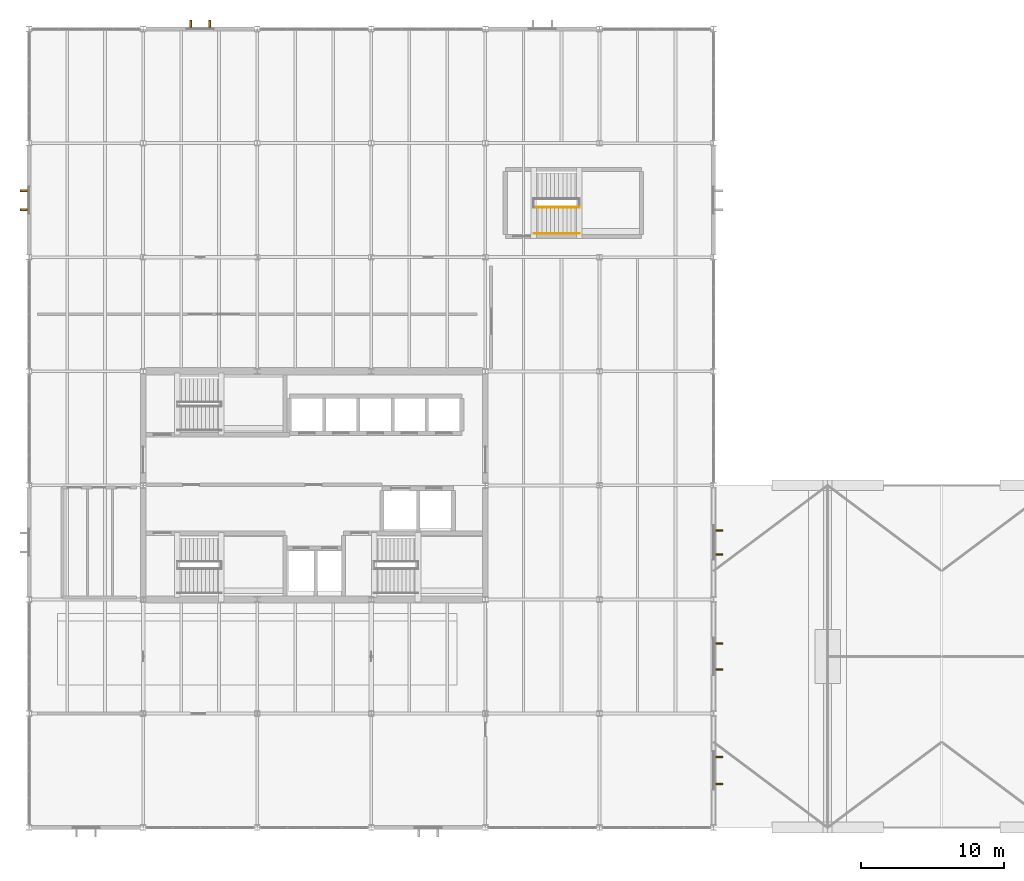
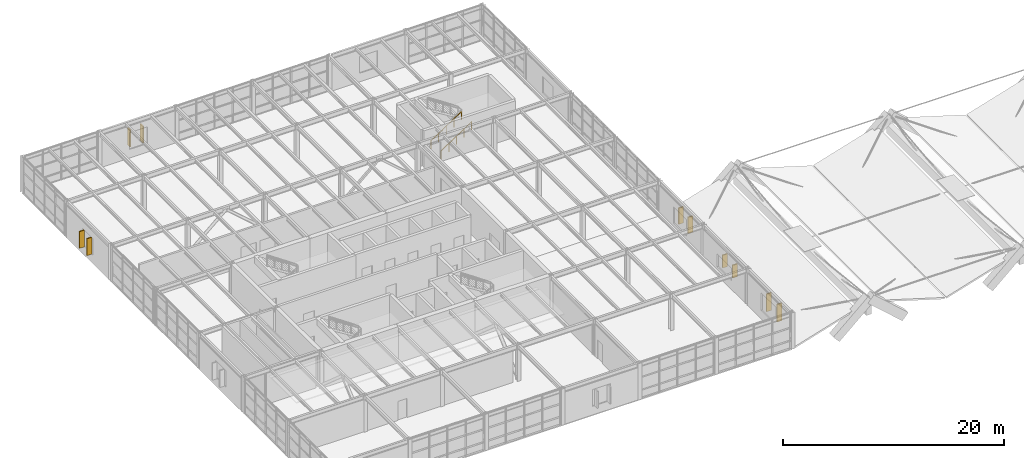
# One storey, part 48 of 50: 10 shading devices, 2 railings.
"""IFC4 building model written with IfcOpenShell, lengths in metres."""

import ifcopenshell
import ifcopenshell.guid

model = None  # the IFC model being written
_history = None  # IfcOwnerHistory: only IFC2X3 demands one
_inside = {}  # id of a spatial element -> (the spatial element, [elements in it])
_under = {}  # id of a project, library or spatial element -> (it, [spatial elements below it])
_declared = {}  # id of a project -> (the project, [libraries it declares])
_typed = {}  # id of a type object -> (the type object, [elements of that type])
_made_of = {}  # id of a material, layer set ... -> (it, [elements and type objects made of it])


def new_model(schema):
    """Start an empty IFC model of exactly this schema.

    Asked for "IFC4X3", IfcOpenShell would pick the latest addendum, in which some entities
    have other attributes; the version numbers below select the first issue.
    IFC2X3 requires an IfcOwnerHistory on every rooted entity: one is made here for all.
    """
    global model, _history
    if schema == "IFC4X3":
        model = ifcopenshell.file(schema_version=(4, 3, 0, 0))
    else:
        model = ifcopenshell.file(schema=schema)
    _inside.clear()
    _under.clear()
    _declared.clear()
    _typed.clear()
    _made_of.clear()
    _history = None
    if model.schema == "IFC2X3":
        org = make("IfcOrganization", Name="unknown")
        user = make(
            "IfcPersonAndOrganization",
            ThePerson=make("IfcPerson", FamilyName="unknown"),
            TheOrganization=org,
        )
        app = make(
            "IfcApplication",
            ApplicationDeveloper=org,
            Version="unknown",
            ApplicationFullName="unknown",
            ApplicationIdentifier="unknown",
        )
        _history = make(
            "IfcOwnerHistory",
            OwningUser=user,
            OwningApplication=app,
            ChangeAction="ADDED",
            CreationDate=0,
        )
    return model


def make(cls, **values):
    """One entity of the class cls with the attributes given. An attribute that is None is left unset."""
    return model.create_entity(
        cls, **{name: value for name, value in values.items() if value is not None}
    )


def rooted(cls, **values):
    """An entity with a GlobalId (a new one), such as an element, a storey or a relation."""
    return make(cls, GlobalId=ifcopenshell.guid.new(), OwnerHistory=_history, **values)


def si_unit(unit_type, name, prefix=None):
    """IfcSIUnit, for example si_unit("LENGTHUNIT", "METRE", prefix="MILLI")."""
    return make("IfcSIUnit", UnitType=unit_type, Prefix=prefix, Name=name)


def assignment(units):
    """IfcUnitAssignment: the units of a project."""
    return None if units is None else make("IfcUnitAssignment", Units=units)


def point(xyz):
    """IfcCartesianPoint."""
    return None if xyz is None else make("IfcCartesianPoint", Coordinates=xyz)


def direction(xyz):
    """IfcDirection."""
    return None if xyz is None else make("IfcDirection", DirectionRatios=xyz)


def frame(location, z_axis=None, x_axis=None):
    """IfcAxis2Placement3D, a coordinate frame: its origin and axes. An axis left out is left unset."""
    return make(
        "IfcAxis2Placement3D",
        Location=point(location),
        Axis=direction(z_axis),
        RefDirection=direction(x_axis),
    )


def frame_2d(location, x_axis=None):
    """IfcAxis2Placement2D, a coordinate frame in the plane: its origin and x axis."""
    return make(
        "IfcAxis2Placement2D", Location=point(location), RefDirection=direction(x_axis)
    )


def origin():
    """The frame at (0, 0, 0) with its axes left unset."""
    return frame((0.0, 0.0, 0.0))


def origin_2d():
    """The frame at (0, 0) in the plane with its x axis left unset."""
    return frame_2d((0.0, 0.0))


def place(relative_to, where):
    """IfcLocalPlacement: puts the frame where relative to a parent placement (None: the world)."""
    return make(
        "IfcLocalPlacement", PlacementRelTo=relative_to, RelativePlacement=where
    )


def context(
    kind, dimensions, precision=None, world=None, true_north=None, identifier=None
):
    """IfcGeometricRepresentationContext, for example the 3D "Model" context."""
    return make(
        "IfcGeometricRepresentationContext",
        ContextIdentifier=identifier,
        ContextType=kind,
        CoordinateSpaceDimension=dimensions,
        Precision=precision,
        WorldCoordinateSystem=world,
        TrueNorth=true_north,
    )


def subcontext(parent, identifier, kind, view, scale=None):
    """IfcGeometricRepresentationSubContext, for example "Body" below "Model"."""
    return make(
        "IfcGeometricRepresentationSubContext",
        ContextIdentifier=identifier,
        ContextType=kind,
        ParentContext=parent,
        TargetScale=scale,
        TargetView=view,
    )


def project(units=None, contexts=None):
    """IfcProject with its units and contexts."""
    return rooted(
        "IfcProject",
        Name="project",
        RepresentationContexts=contexts,
        UnitsInContext=assignment(units),
    )


def spatial(cls, under=None, at=None, **own):
    """A site, building, storey or space (cls), placed at a placement, below another one or the project."""
    s = rooted(cls, ObjectPlacement=at, **own)
    if under is not None:
        _under.setdefault(under.id(), (under, []))[1].append(s)
    return s


def profile(cls, at=None, kind="AREA", **sizes):
    """A parametric profile (cls). Its sizes go by their IFC names, for example OverallWidth=200.0."""
    return make(cls, ProfileType=kind, Position=at, **sizes)


def rectangle(**sizes):
    """IfcRectangleProfileDef."""
    return profile("IfcRectangleProfileDef", **sizes)


def circle(**sizes):
    """IfcCircleProfileDef."""
    return profile("IfcCircleProfileDef", **sizes)


def extrude(swept, where, along, depth):
    """IfcExtrudedAreaSolid: the profile swept, set in the frame where, extruded along a direction by depth."""
    return make(
        "IfcExtrudedAreaSolid",
        SweptArea=swept,
        Position=where,
        ExtrudedDirection=direction(along),
        Depth=depth,
    )


def shape(context_of_items, identifier, shape_type, items):
    """IfcShapeRepresentation: the items that make up one representation, for example the "Body"."""
    return make(
        "IfcShapeRepresentation",
        ContextOfItems=context_of_items,
        RepresentationIdentifier=identifier,
        RepresentationType=shape_type,
        Items=items,
    )


def material(Name=None, Category=None):
    """IfcMaterial."""
    return make("IfcMaterial", Name=Name, Category=Category)


def made_of(thing, what):
    """Note that an element or type object is made of a material, layer set ...; save() writes the relation."""
    if what is not None:
        _made_of.setdefault(what.id(), (what, []))[1].append(thing)
    return thing


def type_object(cls, material=None, **own):
    """A type object (cls), such as IfcWallType, which elements share."""
    return made_of(rooted(cls, **own), material)


def element(
    cls,
    number,
    at=None,
    inside=None,
    cuts=None,
    type_object=None,
    material=None,
    context=None,
    identifier="Body",
    shape_type=None,
    held_by="IfcProductDefinitionShape",
    body=None,
    shapes=None,
    **own,
):
    """One element of the class cls, such as IfcWall. Its Tag is "e" and its number.

    at: its placement. inside: the storey or other place that contains it. cuts: it is an
    opening in that element (IfcRelVoidsElement). A single representation is given by context,
    identifier, shape_type and body (its items); several are given by shapes. held_by: the class
    of the entity that holds the representations. save() writes the other relations.
    """
    e = rooted(cls, Tag="e%d" % number, ObjectPlacement=at, **own)
    if body is not None:
        shapes = [shape(context, identifier, shape_type, body)]
    if shapes is not None:
        e.Representation = make(held_by, Representations=shapes)
    if inside is not None:
        _inside.setdefault(inside.id(), (inside, []))[1].append(e)
    if cuts is not None:
        rooted(
            "IfcRelVoidsElement", RelatingBuildingElement=cuts, RelatedOpeningElement=e
        )
    if type_object is not None:
        _typed.setdefault(type_object.id(), (type_object, []))[1].append(e)
    return made_of(e, material)


def aggregate(whole, parts):
    """IfcRelAggregates: a whole, such as a stair, and the parts it consists of."""
    return rooted("IfcRelAggregates", RelatingObject=whole, RelatedObjects=parts)


def save(model, path):
    """Write the relations noted so far, then the file.

    IfcRelAggregates (storeys below a building ...), IfcRelContainedInSpatialStructure (elements
    in a storey), IfcRelDefinesByType, IfcRelAssociatesMaterial and IfcRelDeclares: one each for
    every whole, place, type object, material and project.
    """
    for whole, parts in _under.values():
        aggregate(whole, parts)
    for where, things in _inside.values():
        rooted(
            "IfcRelContainedInSpatialStructure",
            RelatedElements=things,
            RelatingStructure=where,
        )
    for kind, things in _typed.values():
        rooted("IfcRelDefinesByType", RelatedObjects=things, RelatingType=kind)
    for what, things in _made_of.values():
        rooted("IfcRelAssociatesMaterial", RelatedObjects=things, RelatingMaterial=what)
    for by, libraries in _declared.values():
        rooted("IfcRelDeclares", RelatingContext=by, RelatedDefinitions=libraries)
    model.write(path)


model = new_model("IFC4")

# Units and contexts
model_context = context("Model", 3, precision=1e-05, world=origin(), true_north=direction((0.0, 1.0)))
body_context = subcontext(model_context, "Body", "Model", "MODEL_VIEW")
ifc_project = project(units=[si_unit("LENGTHUNIT", "METRE"), si_unit("AREAUNIT", "SQUARE_METRE"), si_unit("VOLUMEUNIT", "CUBIC_METRE"), si_unit("PLANEANGLEUNIT", "RADIAN"), si_unit("MASSUNIT", "GRAM", prefix="KILO")], contexts=[model_context])

# Site, building, storey
site_placement = place(None, origin())
site = spatial("IfcSite", under=ifc_project, at=site_placement, CompositionType="ELEMENT")
building_placement = place(site_placement, origin())
building = spatial("IfcBuilding", under=site, at=building_placement, Name="Varnela Railside Interchange", CompositionType="ELEMENT")
storey_placement = place(building_placement, frame((0.0, 0.0, 15.39990234375)))
storey = spatial("IfcBuildingStorey", under=building, at=storey_placement, Name="L03", CompositionType="ELEMENT", Elevation=15.39990234375)

# Shading devices
ifc_material_1 = material(Name="Concrete C40 precast", Category="concrete")
shading_device_type = type_object("IfcShadingDeviceType", Name="Paulista Vertical Brise-Soleil BS-01", PredefinedType="USERDEFINED", material=ifc_material_1)
for number, where, z_axis, x_axis, name in (
    (1, (3.614990234375, 81.3349609375, 0.949951171875), (0.0, 0.0, 1.0), (-1.0, 0.0, 0.0), "Paulista Vertical Brise-Soleil BS-01 (L03)"),
    (2, (3.614990234375, 82.6650390625, 0.949951171875), (0.0, 0.0, 1.0), (-1.0, 0.0, 0.0), "Paulista Vertical Brise-Soleil BS-01 (L03)"),
    (3, (15.3349609375, 94.385009765625, 0.949951171875), (0.0, 0.0, 1.0), (0.0, 1.0, 0.0), "Paulista Vertical Brise-Soleil BS-01 (L03)"),
    (4, (16.6650390625, 94.385009765625, 0.949951171875), (0.0, 0.0, 1.0), (0.0, 1.0, 0.0), "Paulista Vertical Brise-Soleil BS-01 (L03)"),
):
    element("IfcShadingDevice", number, at=place(storey_placement, frame(where, z_axis=z_axis, x_axis=x_axis)), inside=storey, type_object=shading_device_type, Name=name, ObjectType="FIN", PredefinedType="USERDEFINED", context=body_context, shape_type="SweptSolid", body=[
        extrude(rectangle(XDim=0.5, YDim=0.1201171875, at=origin_2d()), origin(), (0.0, 0.0, 1.0), 1.85009765625),
    ])
for number, where, z_axis, x_axis, name in (
    (5, (52.405029296875, 58.840087890625, 0.9501953125), (0.0, 0.0, 1.0), (1.0, 0.0, 0.0), "Paulista Vertical Brise-Soleil BS-01 (L03)"),
    (6, (52.405029296875, 57.159912109375, 0.9501953125), (0.0, 0.0, 1.0), (1.0, 0.0, 0.0), "Paulista Vertical Brise-Soleil BS-01 (L03)"),
):
    element("IfcShadingDevice", number, at=place(storey_placement, frame(where, z_axis=z_axis, x_axis=x_axis)), inside=storey, type_object=shading_device_type, Name=name, ObjectType="FIN", PredefinedType="USERDEFINED", context=body_context, shape_type="SweptSolid", body=[
        extrude(rectangle(XDim=0.5, YDim=0.1201171875, at=origin_2d()), origin(), (0.0, 0.0, 1.0), 1.800048828125),
    ])
for number, where, z_axis, x_axis, name in (
    (7, (52.405029296875, 50.909912109375, 0.9501953125), (0.0, 0.0, 1.0), (1.0, 0.0, 0.0), "Paulista Vertical Brise-Soleil BS-01 (L03)"),
    (8, (52.405029296875, 49.090087890625, 0.9501953125), (0.0, 0.0, 1.0), (1.0, 0.0, 0.0), "Paulista Vertical Brise-Soleil BS-01 (L03)"),
):
    element("IfcShadingDevice", number, at=place(storey_placement, frame(where, z_axis=z_axis, x_axis=x_axis)), inside=storey, type_object=shading_device_type, Name=name, ObjectType="FIN", PredefinedType="USERDEFINED", context=body_context, shape_type="SweptSolid", body=[
        extrude(rectangle(XDim=0.5, YDim=0.1201171875, at=origin_2d()), origin(), (0.0, 0.0, 1.0), 1.39990234375),
    ])
for number, where, z_axis, x_axis, name in (
    (9, (52.405029296875, 42.945068359375, 0.9501953125), (0.0, 0.0, 1.0), (1.0, 0.0, 0.0), "Paulista Vertical Brise-Soleil BS-01 (L03)"),
    (10, (52.405029296875, 41.054931640625, 0.9501953125), (0.0, 0.0, 1.0), (1.0, 0.0, 0.0), "Paulista Vertical Brise-Soleil BS-01 (L03)"),
):
    element("IfcShadingDevice", number, at=place(storey_placement, frame(where, z_axis=z_axis, x_axis=x_axis)), inside=storey, type_object=shading_device_type, Name=name, ObjectType="FIN", PredefinedType="USERDEFINED", context=body_context, shape_type="SweptSolid", body=[
        extrude(rectangle(XDim=0.5, YDim=0.1201171875, at=origin_2d()), origin(), (0.0, 0.0, 1.0), 1.949951171875),
    ])

# Railings
ifc_material_2 = material(Name="Steel AR 350 (350 MPa)", Category="steel")
railing_type_1 = type_object("IfcRailingType", Name="Stair & Ramp Pitch Handrail HR-01", PredefinedType="HANDRAIL", material=ifc_material_2)
railing_1_placement = place(storey_placement, frame((39.39990234375, 81.5, 0.0)))
element("IfcRailing", 11, at=railing_1_placement, inside=storey, type_object=railing_type_1, Name="Stair Handrail ST-W1 Flight 1 (RL-0402)", PredefinedType="HANDRAIL", context=body_context, shape_type="SweptSolid", body=[
    extrude(circle(Radius=0.02392578125, at=origin_2d()), frame((0.0, 0.0, 0.89599609375), z_axis=(0.835261802243, 0.0, 0.549852454495), x_axis=(0.0, 1.0, 0.0)), (0.0, 0.0, 1.0), 3.8193359375),
    extrude(circle(Radius=0.02099609375, at=origin_2d()), origin(), (0.0, 0.0, 1.0), 0.871826171875),
    extrude(circle(Radius=0.02099609375, at=origin_2d()), frame((0.797607421875, 0.0, 0.52490234375)), (0.0, 0.0, 1.0), 0.871826171875),
    extrude(circle(Radius=0.02099609375, at=origin_2d()), frame((1.59521484375, 0.0, 1.050048828125)), (0.0, 0.0, 1.0), 0.871826171875),
    extrude(circle(Radius=0.02099609375, at=origin_2d()), frame((2.392578125, 0.0, 1.5751953125)), (0.0, 0.0, 1.0), 0.871826171875),
    extrude(circle(Radius=0.02099609375, at=origin_2d()), frame((3.190185546875, 0.0, 2.10009765625)), (0.0, 0.0, 1.0), 0.871826171875),
])
railing_type_2 = type_object("IfcRailingType", Name="Wall-Mounted Stair Handrail HR-02", PredefinedType="HANDRAIL", material=ifc_material_2)
railing_2_placement = place(storey_placement, frame((39.39990234375, 79.659912109375, 0.0)))
element("IfcRailing", 12, at=railing_2_placement, inside=storey, type_object=railing_type_2, Name="Wall Handrail ST-W1 Flight 1 (RL-0409)", PredefinedType="HANDRAIL", context=body_context, shape_type="SweptSolid", body=[
    extrude(circle(Radius=0.02392578125, at=origin_2d()), frame((0.0, 0.0, 0.89599609375), z_axis=(0.835261802243, 0.0, 0.549852454495), x_axis=(0.0, 1.0, 0.0)), (0.0, 0.0, 1.0), 3.8193359375),
    extrude(circle(Radius=0.02099609375, at=origin_2d()), origin(), (0.0, 0.0, 1.0), 0.871826171875),
    extrude(circle(Radius=0.02099609375, at=origin_2d()), frame((0.797607421875, 0.0, 0.52490234375)), (0.0, 0.0, 1.0), 0.871826171875),
    extrude(circle(Radius=0.02099609375, at=origin_2d()), frame((1.59521484375, 0.0, 1.050048828125)), (0.0, 0.0, 1.0), 0.871826171875),
    extrude(circle(Radius=0.02099609375, at=origin_2d()), frame((2.392578125, 0.0, 1.5751953125)), (0.0, 0.0, 1.0), 0.871826171875),
    extrude(circle(Radius=0.02099609375, at=origin_2d()), frame((3.190185546875, 0.0, 2.10009765625)), (0.0, 0.0, 1.0), 0.871826171875),
])

save(model, "model.ifc")
